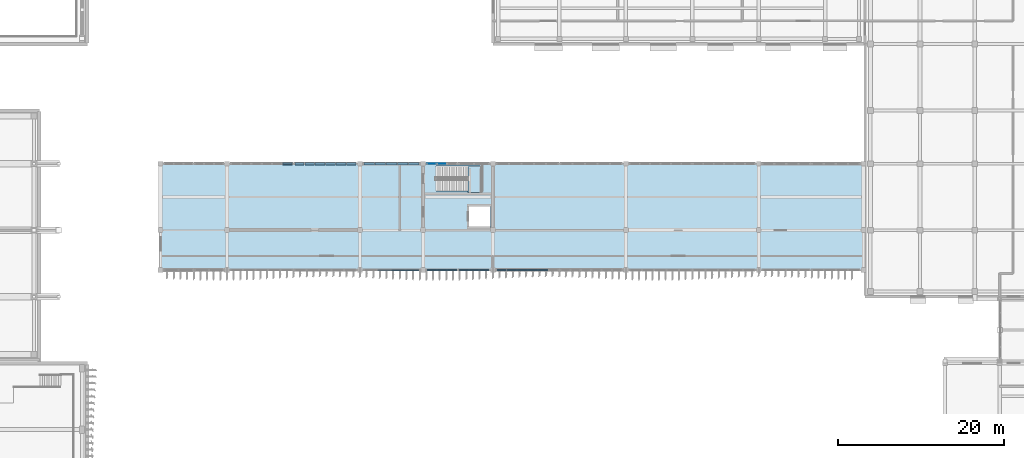
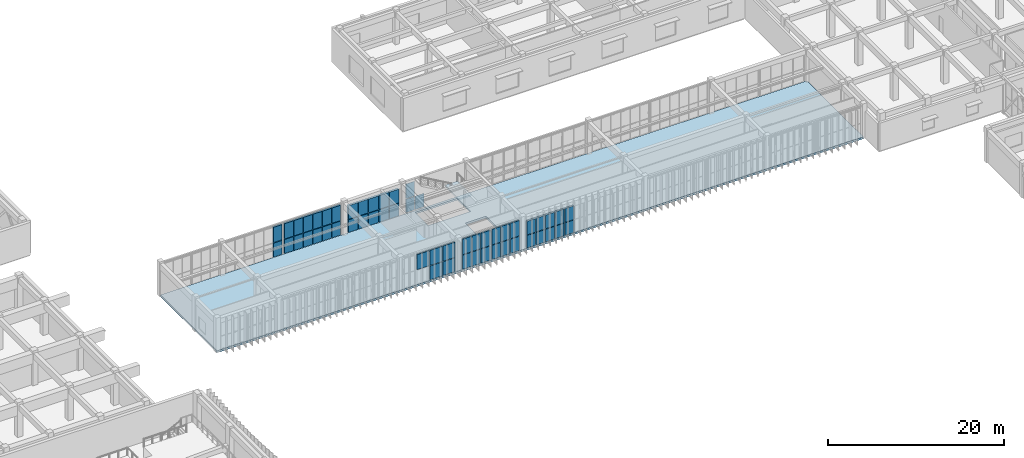
# One storey, part 31 of 64: 54 plates, 2 slabs, 9 elements without a shape of their own.
"""IFC4 building model written with IfcOpenShell, lengths in metres."""

from ifc_helpers import new_model, si_unit, direction, frame, origin, origin_2d, place, context, subcontext, project, spatial, polyline, rectangle, outline, extrude, material, layer, layer_set, type_object, element, aggregate, save


model = new_model("IFC4")

# Units and contexts
model_context = context("Model", 3, precision=1e-05, world=origin(), true_north=direction((0.0, 1.0)))
body_context = subcontext(model_context, "Body", "Model", "MODEL_VIEW")
ifc_project = project(units=[si_unit("LENGTHUNIT", "METRE"), si_unit("AREAUNIT", "SQUARE_METRE"), si_unit("VOLUMEUNIT", "CUBIC_METRE"), si_unit("PLANEANGLEUNIT", "RADIAN"), si_unit("MASSUNIT", "GRAM", prefix="KILO")], contexts=[model_context])

# Site, building, storey
site_placement = place(None, origin())
site = spatial("IfcSite", under=ifc_project, at=site_placement, CompositionType="ELEMENT")
building_placement = place(site_placement, origin())
building = spatial("IfcBuilding", under=site, at=building_placement, Name="Cinchona Park Media Centre", CompositionType="ELEMENT")
storey_placement = place(building_placement, frame((0.0, 0.0, 5.39990234375)))
storey = spatial("IfcBuildingStorey", under=building, at=storey_placement, Name="L01", CompositionType="ELEMENT", Elevation=5.39990234375)

# Curtain wall, plates
ifc_material_1 = material(Name="Aluminium Curtain Wall Framing", Category="aluminium")
ifc_layer_1 = layer(ifc_material_1, 0.2548828125)
ifc_layer_set_1 = layer_set([ifc_layer_1], Name="Aluminium Curtain Wall Framing")
curtain_wall_type_1 = type_object("IfcCurtainWallType", Name="CW-CW06", PredefinedType="USERDEFINED", material=ifc_layer_set_1)
curtain_wall_1_placement = place(storey_placement, origin())
curtain_wall_1 = element("IfcCurtainWall", 1, at=curtain_wall_1_placement, inside=storey, type_object=curtain_wall_type_1, Name="Curtain Wall CW06 L01", ObjectType="UNITISED CURTAIN WALL", PredefinedType="USERDEFINED")
ifc_material_2 = material(Name="Laminated Solar-Control Double Glazing", Category="glass")
ifc_layer_2 = layer(ifc_material_2, 0.030029296875)
ifc_layer_set_2 = layer_set([ifc_layer_2], Name="Laminated Solar-Control Double Glazing")
plate_type_1 = type_object("IfcPlateType", Name="CWPANEL-PNL02", PredefinedType="CURTAIN_PANEL", material=ifc_layer_set_2)
plate_1_placement = place(storey_placement, frame((87.455322265625, 87.60009765625, 0.125), z_axis=(0.0, 0.0, 1.0), x_axis=(1.0, 0.0, 0.0)))
plate_1 = element("IfcPlate", 2, at=plate_1_placement, type_object=plate_type_1, Name="CW06 panel 1.1", PredefinedType="CURTAIN_PANEL", context=body_context, shape_type="SweptSolid", body=[
    extrude(rectangle(XDim=1.120849609375, YDim=0.030029296875, at=origin_2d()), origin(), (0.0, 0.0, 1.0), 1.868408203125),
])
plate_2_placement = place(storey_placement, frame((87.455322265625, 87.60009765625, 2.06884765625), z_axis=(0.0, 0.0, 1.0), x_axis=(1.0, 0.0, 0.0)))
plate_2 = element("IfcPlate", 3, at=plate_2_placement, type_object=plate_type_1, Name="CW06 panel 1.2", PredefinedType="CURTAIN_PANEL", context=body_context, shape_type="SweptSolid", body=[
    extrude(rectangle(XDim=1.120849609375, YDim=0.030029296875, at=origin_2d()), origin(), (0.0, 0.0, 1.0), 2.033447265625),
])
plate_3_placement = place(storey_placement, frame((88.669921875, 87.60009765625, 0.125), z_axis=(0.0, 0.0, 1.0), x_axis=(1.0, 0.0, 0.0)))
plate_3 = element("IfcPlate", 4, at=plate_3_placement, type_object=plate_type_1, Name="CW06 panel 2.1", PredefinedType="CURTAIN_PANEL", context=body_context, shape_type="SweptSolid", body=[
    extrude(rectangle(XDim=1.158447265625, YDim=0.030029296875, at=origin_2d()), origin(), (0.0, 0.0, 1.0), 1.868408203125),
])
aggregate(curtain_wall_1, [plate_1, plate_2, plate_3])

ifc_material_3 = material(Name="Aluminium Curtain Wall Framing", Category="aluminium")
ifc_layer_3 = layer(ifc_material_3, 0.300048828125)
ifc_layer_set_3 = layer_set([ifc_layer_3], Name="Aluminium Curtain Wall Framing")
curtain_wall_type_2 = type_object("IfcCurtainWallType", Name="CW-CW09", PredefinedType="USERDEFINED", material=ifc_layer_set_3)
curtain_wall_2_placement = place(storey_placement, origin())
curtain_wall_2 = element("IfcCurtainWall", 5, at=curtain_wall_2_placement, inside=storey, type_object=curtain_wall_type_2, Name="Curtain Wall CW09 L01", ObjectType="UNITISED CURTAIN WALL", PredefinedType="USERDEFINED")
ifc_material_4 = material(Name="Insulated Acoustic Aluminium-Glass Spandrel Cassette", Category="aluminium")
ifc_layer_4 = layer(ifc_material_4, 0.139892578125)
ifc_layer_set_4 = layer_set([ifc_layer_4], Name="Insulated Acoustic Aluminium-Glass Spandrel Cassette")
plate_type_2 = type_object("IfcPlateType", Name="CWPANEL-PNL13", PredefinedType="CURTAIN_PANEL", material=ifc_layer_set_4)
plate_4_placement = place(storey_placement, frame((85.1162109375, 74.800048828125, 0.125244140625), z_axis=(0.0, 0.0, 1.0), x_axis=(-1.0, 0.0, 0.0)))
plate_4 = element("IfcPlate", 6, at=plate_4_placement, type_object=plate_type_2, Name="CW09 panel 1.1", PredefinedType="CURTAIN_PANEL", context=body_context, shape_type="SweptSolid", body=[
    extrude(rectangle(XDim=1.577392578125, YDim=0.139892578125, at=origin_2d()), origin(), (0.0, 0.0, 1.0), 1.92138671875),
])
plate_5_placement = place(storey_placement, frame((85.1162109375, 74.800048828125, 2.12158203125), z_axis=(0.0, 0.0, 1.0), x_axis=(-1.0, 0.0, 0.0)))
plate_5 = element("IfcPlate", 7, at=plate_5_placement, type_object=plate_type_2, Name="CW09 panel 1.2", PredefinedType="CURTAIN_PANEL", context=body_context, shape_type="SweptSolid", body=[
    extrude(rectangle(XDim=1.577392578125, YDim=0.139892578125, at=origin_2d()), origin(), (0.0, 0.0, 1.0), 2.091552734375),
])
plate_6_placement = place(storey_placement, frame((83.445068359375, 74.800048828125, 0.125244140625), z_axis=(0.0, 0.0, 1.0), x_axis=(-1.0, 0.0, 0.0)))
plate_6 = element("IfcPlate", 8, at=plate_6_placement, type_object=plate_type_2, Name="CW09 panel 2.1", PredefinedType="CURTAIN_PANEL", context=body_context, shape_type="SweptSolid", body=[
    extrude(rectangle(XDim=1.614990234375, YDim=0.139892578125, at=origin_2d()), origin(), (0.0, 0.0, 1.0), 1.92138671875),
])
plate_7_placement = place(storey_placement, frame((83.445068359375, 74.800048828125, 2.12158203125), z_axis=(0.0, 0.0, 1.0), x_axis=(-1.0, 0.0, 0.0)))
plate_7 = element("IfcPlate", 9, at=plate_7_placement, type_object=plate_type_2, Name="CW09 panel 2.2", PredefinedType="CURTAIN_PANEL", context=body_context, shape_type="SweptSolid", body=[
    extrude(rectangle(XDim=1.614990234375, YDim=0.139892578125, at=origin_2d()), origin(), (0.0, 0.0, 1.0), 2.091552734375),
])
plate_8_placement = place(storey_placement, frame((81.7548828125, 74.800048828125, 2.12158203125), z_axis=(0.0, 0.0, 1.0), x_axis=(-1.0, 0.0, 0.0)))
plate_8 = element("IfcPlate", 10, at=plate_8_placement, type_object=plate_type_2, Name="CW09 panel 3.2", PredefinedType="CURTAIN_PANEL", context=body_context, shape_type="SweptSolid", body=[
    extrude(rectangle(XDim=1.614990234375, YDim=0.139892578125, at=origin_2d()), origin(), (0.0, 0.0, 1.0), 2.091552734375),
])
aggregate(curtain_wall_2, [plate_4, plate_5, plate_6, plate_7, plate_8])

ifc_material_5 = material(Name="Aluminium Curtain Wall Framing", Category="aluminium")
ifc_layer_5 = layer(ifc_material_5, 0.179931640625)
ifc_layer_set_5 = layer_set([ifc_layer_5], Name="Aluminium Curtain Wall Framing")
curtain_wall_type_3 = type_object("IfcCurtainWallType", Name="CW-CW01", PredefinedType="USERDEFINED", material=ifc_layer_set_5)
curtain_wall_3_placement = place(storey_placement, origin())
curtain_wall_3 = element("IfcCurtainWall", 11, at=curtain_wall_3_placement, inside=storey, type_object=curtain_wall_type_3, Name="Curtain Wall CW01 L01", ObjectType="UNITISED CURTAIN WALL", PredefinedType="USERDEFINED")
ifc_material_6 = material(Name="Insulated Acoustic Aluminium-Glass Spandrel Cassette", Category="aluminium")
ifc_layer_6 = layer(ifc_material_6, 0.159912109375)
ifc_layer_set_6 = layer_set([ifc_layer_6], Name="Insulated Acoustic Aluminium-Glass Spandrel Cassette")
plate_type_3 = type_object("IfcPlateType", Name="CWPANEL-PNL15", PredefinedType="CURTAIN_PANEL", material=ifc_layer_set_6)
plate_9_placement = place(storey_placement, frame((93.7470703125, 74.800048828125, 0.115234375), z_axis=(0.0, 0.0, 1.0), x_axis=(-1.0, 0.0, 0.0)))
plate_9 = element("IfcPlate", 12, at=plate_9_placement, type_object=plate_type_3, Name="CW01 panel 1.1", PredefinedType="CURTAIN_PANEL", context=body_context, shape_type="SweptSolid", body=[
    extrude(rectangle(XDim=1.1357421875, YDim=0.159912109375, at=origin_2d()), origin(), (0.0, 0.0, 1.0), 1.96044921875),
])
plate_10_placement = place(storey_placement, frame((93.7470703125, 74.800048828125, 2.140625), z_axis=(0.0, 0.0, 1.0), x_axis=(-1.0, 0.0, 0.0)))
plate_10 = element("IfcPlate", 13, at=plate_10_placement, type_object=plate_type_3, Name="CW01 panel 1.2", PredefinedType="CURTAIN_PANEL", context=body_context, shape_type="SweptSolid", body=[
    extrude(rectangle(XDim=1.1357421875, YDim=0.159912109375, at=origin_2d()), origin(), (0.0, 0.0, 1.0), 2.131591796875),
])
plate_11_placement = place(storey_placement, frame((92.530029296875, 74.800048828125, 0.115234375), z_axis=(0.0, 0.0, 1.0), x_axis=(-1.0, 0.0, 0.0)))
plate_11 = element("IfcPlate", 14, at=plate_11_placement, type_object=plate_type_3, Name="CW01 panel 2.1", PredefinedType="CURTAIN_PANEL", context=body_context, shape_type="SweptSolid", body=[
    extrude(rectangle(XDim=1.168212890625, YDim=0.159912109375, at=origin_2d()), origin(), (0.0, 0.0, 1.0), 1.96044921875),
])
plate_12_placement = place(storey_placement, frame((92.530029296875, 74.800048828125, 2.140625), z_axis=(0.0, 0.0, 1.0), x_axis=(-1.0, 0.0, 0.0)))
plate_12 = element("IfcPlate", 15, at=plate_12_placement, type_object=plate_type_3, Name="CW01 panel 2.2", PredefinedType="CURTAIN_PANEL", context=body_context, shape_type="SweptSolid", body=[
    extrude(rectangle(XDim=1.168212890625, YDim=0.159912109375, at=origin_2d()), origin(), (0.0, 0.0, 1.0), 2.131591796875),
])
plate_13_placement = place(storey_placement, frame((91.31298828125, 74.800048828125, 0.115234375), z_axis=(0.0, 0.0, 1.0), x_axis=(-1.0, 0.0, 0.0)))
plate_13 = element("IfcPlate", 16, at=plate_13_placement, type_object=plate_type_3, Name="CW01 panel 3.1", PredefinedType="CURTAIN_PANEL", context=body_context, shape_type="SweptSolid", body=[
    extrude(rectangle(XDim=1.1357421875, YDim=0.159912109375, at=origin_2d()), origin(), (0.0, 0.0, 1.0), 1.96044921875),
])
plate_14_placement = place(storey_placement, frame((91.31298828125, 74.800048828125, 2.140625), z_axis=(0.0, 0.0, 1.0), x_axis=(-1.0, 0.0, 0.0)))
plate_14 = element("IfcPlate", 17, at=plate_14_placement, type_object=plate_type_3, Name="CW01 panel 3.2", PredefinedType="CURTAIN_PANEL", context=body_context, shape_type="SweptSolid", body=[
    extrude(rectangle(XDim=1.1357421875, YDim=0.159912109375, at=origin_2d()), origin(), (0.0, 0.0, 1.0), 2.131591796875),
])
aggregate(curtain_wall_3, [plate_9, plate_10, plate_11, plate_12, plate_13, plate_14])

ifc_material_7 = material(Name="Aluminium Curtain Wall Framing", Category="aluminium")
ifc_layer_7 = layer(ifc_material_7, 0.195068359375)
ifc_layer_set_7 = layer_set([ifc_layer_7], Name="Aluminium Curtain Wall Framing")
curtain_wall_type_4 = type_object("IfcCurtainWallType", Name="CW-CW02", PredefinedType="USERDEFINED", material=ifc_layer_set_7)
curtain_wall_4_placement = place(storey_placement, origin())
curtain_wall_4 = element("IfcCurtainWall", 18, at=curtain_wall_4_placement, inside=storey, type_object=curtain_wall_type_4, Name="Curtain Wall CW02 L01", ObjectType="UNITISED CURTAIN WALL", PredefinedType="USERDEFINED")
ifc_material_8 = material(Name="Insulated Acoustic Aluminium-Glass Spandrel Cassette", Category="aluminium")
ifc_layer_8 = layer(ifc_material_8, 0.179931640625)
ifc_layer_set_8 = layer_set([ifc_layer_8], Name="Insulated Acoustic Aluminium-Glass Spandrel Cassette")
plate_type_4 = type_object("IfcPlateType", Name="CWPANEL-PNL17", PredefinedType="CURTAIN_PANEL", material=ifc_layer_set_8)
plate_15_placement = place(storey_placement, frame((89.886962890625, 74.800048828125, 0.115234375), z_axis=(0.0, 0.0, 1.0), x_axis=(-1.0, 0.0, 0.0)))
plate_15 = element("IfcPlate", 19, at=plate_15_placement, type_object=plate_type_4, Name="CW02 panel 1.1", PredefinedType="CURTAIN_PANEL", context=body_context, shape_type="SweptSolid", body=[
    extrude(rectangle(XDim=1.1357421875, YDim=0.179931640625, at=origin_2d()), origin(), (0.0, 0.0, 1.0), 1.96044921875),
])
plate_16_placement = place(storey_placement, frame((89.886962890625, 74.800048828125, 2.140625), z_axis=(0.0, 0.0, 1.0), x_axis=(-1.0, 0.0, 0.0)))
plate_16 = element("IfcPlate", 20, at=plate_16_placement, type_object=plate_type_4, Name="CW02 panel 1.2", PredefinedType="CURTAIN_PANEL", context=body_context, shape_type="SweptSolid", body=[
    extrude(rectangle(XDim=1.1357421875, YDim=0.179931640625, at=origin_2d()), origin(), (0.0, 0.0, 1.0), 2.131591796875),
])
plate_17_placement = place(storey_placement, frame((88.669921875, 74.800048828125, 0.115234375), z_axis=(0.0, 0.0, 1.0), x_axis=(-1.0, 0.0, 0.0)))
plate_17 = element("IfcPlate", 21, at=plate_17_placement, type_object=plate_type_4, Name="CW02 panel 2.1", PredefinedType="CURTAIN_PANEL", context=body_context, shape_type="SweptSolid", body=[
    extrude(rectangle(XDim=1.168212890625, YDim=0.179931640625, at=origin_2d()), origin(), (0.0, 0.0, 1.0), 1.96044921875),
])
plate_18_placement = place(storey_placement, frame((88.669921875, 74.800048828125, 2.140625), z_axis=(0.0, 0.0, 1.0), x_axis=(-1.0, 0.0, 0.0)))
plate_18 = element("IfcPlate", 22, at=plate_18_placement, type_object=plate_type_4, Name="CW02 panel 2.2", PredefinedType="CURTAIN_PANEL", context=body_context, shape_type="SweptSolid", body=[
    extrude(rectangle(XDim=1.168212890625, YDim=0.179931640625, at=origin_2d()), origin(), (0.0, 0.0, 1.0), 2.131591796875),
])
plate_19_placement = place(storey_placement, frame((87.452880859375, 74.800048828125, 0.115234375), z_axis=(0.0, 0.0, 1.0), x_axis=(-1.0, 0.0, 0.0)))
plate_19 = element("IfcPlate", 23, at=plate_19_placement, type_object=plate_type_4, Name="CW02 panel 3.1", PredefinedType="CURTAIN_PANEL", context=body_context, shape_type="SweptSolid", body=[
    extrude(rectangle(XDim=1.1357421875, YDim=0.179931640625, at=origin_2d()), origin(), (0.0, 0.0, 1.0), 1.96044921875),
])
plate_20_placement = place(storey_placement, frame((87.452880859375, 74.800048828125, 2.140625), z_axis=(0.0, 0.0, 1.0), x_axis=(-1.0, 0.0, 0.0)))
plate_20 = element("IfcPlate", 24, at=plate_20_placement, type_object=plate_type_4, Name="CW02 panel 3.2", PredefinedType="CURTAIN_PANEL", context=body_context, shape_type="SweptSolid", body=[
    extrude(rectangle(XDim=1.1357421875, YDim=0.179931640625, at=origin_2d()), origin(), (0.0, 0.0, 1.0), 2.131591796875),
])
aggregate(curtain_wall_4, [plate_15, plate_16, plate_17, plate_18, plate_19, plate_20])

ifc_material_9 = material(Name="Aluminium Curtain Wall Framing", Category="aluminium")
ifc_layer_9 = layer(ifc_material_9, 0.22509765625)
ifc_layer_set_9 = layer_set([ifc_layer_9], Name="Aluminium Curtain Wall Framing")
curtain_wall_type_5 = type_object("IfcCurtainWallType", Name="CW-CW04", PredefinedType="USERDEFINED", material=ifc_layer_set_9)
curtain_wall_5_placement = place(storey_placement, origin())
curtain_wall_5 = element("IfcCurtainWall", 25, at=curtain_wall_5_placement, inside=storey, type_object=curtain_wall_type_5, Name="Curtain Wall CW04 L01", ObjectType="UNITISED CURTAIN WALL", PredefinedType="USERDEFINED")
ifc_material_10 = material(Name="Insulated Acoustic Aluminium-Glass Spandrel Cassette", Category="aluminium")
ifc_layer_10 = layer(ifc_material_10, 0.2099609375)
ifc_layer_set_10 = layer_set([ifc_layer_10], Name="Insulated Acoustic Aluminium-Glass Spandrel Cassette")
plate_type_5 = type_object("IfcPlateType", Name="CWPANEL-PNL20", PredefinedType="CURTAIN_PANEL", material=ifc_layer_set_10)
plate_21_placement = place(storey_placement, frame((100.844970703125, 74.800048828125, 0.125), z_axis=(0.0, 0.0, 1.0), x_axis=(-1.0, 0.0, 0.0)))
plate_21 = element("IfcPlate", 26, at=plate_21_placement, type_object=plate_type_5, Name="CW04 panel 2.1", PredefinedType="CURTAIN_PANEL", context=body_context, shape_type="SweptSolid", body=[
    extrude(rectangle(XDim=1.175048828125, YDim=0.2099609375, at=origin_2d()), origin(), (0.0, 0.0, 1.0), 1.73046875),
])
plate_22_placement = place(storey_placement, frame((100.844970703125, 74.800048828125, 1.9306640625), z_axis=(0.0, 0.0, 1.0), x_axis=(-1.0, 0.0, 0.0)))
plate_22 = element("IfcPlate", 27, at=plate_22_placement, type_object=plate_type_5, Name="CW04 panel 2.2", PredefinedType="CURTAIN_PANEL", context=body_context, shape_type="SweptSolid", body=[
    extrude(rectangle(XDim=1.175048828125, YDim=0.2099609375, at=origin_2d()), origin(), (0.0, 0.0, 1.0), 1.884521484375),
])
plate_23_placement = place(storey_placement, frame((99.594970703125, 74.800048828125, 0.125), z_axis=(0.0, 0.0, 1.0), x_axis=(-1.0, 0.0, 0.0)))
plate_23 = element("IfcPlate", 28, at=plate_23_placement, type_object=plate_type_5, Name="CW04 panel 3.1", PredefinedType="CURTAIN_PANEL", context=body_context, shape_type="SweptSolid", body=[
    extrude(rectangle(XDim=1.175048828125, YDim=0.2099609375, at=origin_2d()), origin(), (0.0, 0.0, 1.0), 1.73046875),
])
plate_24_placement = place(storey_placement, frame((99.594970703125, 74.800048828125, 1.9306640625), z_axis=(0.0, 0.0, 1.0), x_axis=(-1.0, 0.0, 0.0)))
plate_24 = element("IfcPlate", 29, at=plate_24_placement, type_object=plate_type_5, Name="CW04 panel 3.2", PredefinedType="CURTAIN_PANEL", context=body_context, shape_type="SweptSolid", body=[
    extrude(rectangle(XDim=1.175048828125, YDim=0.2099609375, at=origin_2d()), origin(), (0.0, 0.0, 1.0), 1.884521484375),
])
plate_25_placement = place(storey_placement, frame((98.344970703125, 74.800048828125, 0.125), z_axis=(0.0, 0.0, 1.0), x_axis=(-1.0, 0.0, 0.0)))
plate_25 = element("IfcPlate", 30, at=plate_25_placement, type_object=plate_type_5, Name="CW04 panel 4.1", PredefinedType="CURTAIN_PANEL", context=body_context, shape_type="SweptSolid", body=[
    extrude(rectangle(XDim=1.175048828125, YDim=0.2099609375, at=origin_2d()), origin(), (0.0, 0.0, 1.0), 1.73046875),
])
plate_26_placement = place(storey_placement, frame((98.344970703125, 74.800048828125, 1.9306640625), z_axis=(0.0, 0.0, 1.0), x_axis=(-1.0, 0.0, 0.0)))
plate_26 = element("IfcPlate", 31, at=plate_26_placement, type_object=plate_type_5, Name="CW04 panel 4.2", PredefinedType="CURTAIN_PANEL", context=body_context, shape_type="SweptSolid", body=[
    extrude(rectangle(XDim=1.175048828125, YDim=0.2099609375, at=origin_2d()), origin(), (0.0, 0.0, 1.0), 1.884521484375),
])
plate_27_placement = place(storey_placement, frame((97.094970703125, 74.800048828125, 0.125), z_axis=(0.0, 0.0, 1.0), x_axis=(-1.0, 0.0, 0.0)))
plate_27 = element("IfcPlate", 32, at=plate_27_placement, type_object=plate_type_5, Name="CW04 panel 5.1", PredefinedType="CURTAIN_PANEL", context=body_context, shape_type="SweptSolid", body=[
    extrude(rectangle(XDim=1.175048828125, YDim=0.2099609375, at=origin_2d()), origin(), (0.0, 0.0, 1.0), 1.73046875),
])
plate_28_placement = place(storey_placement, frame((97.094970703125, 74.800048828125, 1.9306640625), z_axis=(0.0, 0.0, 1.0), x_axis=(-1.0, 0.0, 0.0)))
plate_28 = element("IfcPlate", 33, at=plate_28_placement, type_object=plate_type_5, Name="CW04 panel 5.2", PredefinedType="CURTAIN_PANEL", context=body_context, shape_type="SweptSolid", body=[
    extrude(rectangle(XDim=1.175048828125, YDim=0.2099609375, at=origin_2d()), origin(), (0.0, 0.0, 1.0), 1.884521484375),
])
plate_29_placement = place(storey_placement, frame((95.86376953125, 74.800048828125, 0.125), z_axis=(0.0, 0.0, 1.0), x_axis=(-1.0, 0.0, 0.0)))
plate_29 = element("IfcPlate", 34, at=plate_29_placement, type_object=plate_type_5, Name="CW04 panel 6.1", PredefinedType="CURTAIN_PANEL", context=body_context, shape_type="SweptSolid", body=[
    extrude(rectangle(XDim=1.137451171875, YDim=0.2099609375, at=origin_2d()), origin(), (0.0, 0.0, 1.0), 1.73046875),
])
plate_30_placement = place(storey_placement, frame((95.86376953125, 74.800048828125, 1.9306640625), z_axis=(0.0, 0.0, 1.0), x_axis=(-1.0, 0.0, 0.0)))
plate_30 = element("IfcPlate", 35, at=plate_30_placement, type_object=plate_type_5, Name="CW04 panel 6.2", PredefinedType="CURTAIN_PANEL", context=body_context, shape_type="SweptSolid", body=[
    extrude(rectangle(XDim=1.137451171875, YDim=0.2099609375, at=origin_2d()), origin(), (0.0, 0.0, 1.0), 1.884521484375),
])
aggregate(curtain_wall_5, [plate_21, plate_22, plate_23, plate_24, plate_25, plate_26, plate_27, plate_28, plate_29, plate_30])

ifc_material_11 = material(Name="Aluminium Curtain Wall Framing", Category="aluminium")
ifc_layer_11 = layer(ifc_material_11, 0.2099609375)
ifc_layer_set_11 = layer_set([ifc_layer_11], Name="Aluminium Curtain Wall Framing")
curtain_wall_type_6 = type_object("IfcCurtainWallType", Name="CW-CW03", PredefinedType="USERDEFINED", material=ifc_layer_set_11)
curtain_wall_6_placement = place(storey_placement, origin())
curtain_wall_6 = element("IfcCurtainWall", 36, at=curtain_wall_6_placement, inside=storey, type_object=curtain_wall_type_6, Name="Curtain Wall CW03 L01", ObjectType="UNITISED CURTAIN WALL", PredefinedType="USERDEFINED")
ifc_material_12 = material(Name="Insulated Acoustic Aluminium-Glass Spandrel Cassette", Category="aluminium")
ifc_layer_12 = layer(ifc_material_12, 0.239990234375)
ifc_layer_set_12 = layer_set([ifc_layer_12], Name="Insulated Acoustic Aluminium-Glass Spandrel Cassette")
plate_type_6 = type_object("IfcPlateType", Name="CWPANEL-PNL23", PredefinedType="CURTAIN_PANEL", material=ifc_layer_set_12)
plate_31_placement = place(storey_placement, frame((70.076171875, 87.60009765625, 0.125), z_axis=(0.0, 0.0, 1.0), x_axis=(1.0, 0.0, 0.0)))
plate_31 = element("IfcPlate", 37, at=plate_31_placement, type_object=plate_type_6, Name="CW03 panel 6.1", PredefinedType="CURTAIN_PANEL", context=body_context, shape_type="SweptSolid", body=[
    extrude(rectangle(XDim=1.137451171875, YDim=0.239990234375, at=origin_2d()), origin(), (0.0, 0.0, 1.0), 1.945556640625),
])
plate_32_placement = place(storey_placement, frame((70.076171875, 87.60009765625, 2.1455078125), z_axis=(0.0, 0.0, 1.0), x_axis=(1.0, 0.0, 0.0)))
plate_32 = element("IfcPlate", 38, at=plate_32_placement, type_object=plate_type_6, Name="CW03 panel 6.2", PredefinedType="CURTAIN_PANEL", context=body_context, shape_type="SweptSolid", body=[
    extrude(rectangle(XDim=1.137451171875, YDim=0.239990234375, at=origin_2d()), origin(), (0.0, 0.0, 1.0), 2.116455078125),
])
aggregate(curtain_wall_6, [plate_31, plate_32])

curtain_wall_7_placement = place(storey_placement, origin())
curtain_wall_7 = element("IfcCurtainWall", 39, at=curtain_wall_7_placement, inside=storey, type_object=curtain_wall_type_5, Name="Curtain Wall CW04 L01", ObjectType="UNITISED CURTAIN WALL", PredefinedType="USERDEFINED")
ifc_material_13 = material(Name="Insulated Acoustic Aluminium-Glass Spandrel Cassette", Category="aluminium")
ifc_layer_13 = layer(ifc_material_13, 0.260009765625)
ifc_layer_set_13 = layer_set([ifc_layer_13], Name="Insulated Acoustic Aluminium-Glass Spandrel Cassette")
plate_type_7 = type_object("IfcPlateType", Name="CWPANEL-PNL25", PredefinedType="CURTAIN_PANEL", material=ifc_layer_set_13)
plate_33_placement = place(storey_placement, frame((71.523681640625, 87.60009765625, 0.125), z_axis=(0.0, 0.0, 1.0), x_axis=(1.0, 0.0, 0.0)))
plate_33 = element("IfcPlate", 40, at=plate_33_placement, type_object=plate_type_7, Name="CW04 panel 1.1", PredefinedType="CURTAIN_PANEL", context=body_context, shape_type="SweptSolid", body=[
    extrude(rectangle(XDim=1.137451171875, YDim=0.260009765625, at=origin_2d()), origin(), (0.0, 0.0, 1.0), 1.945556640625),
])
plate_34_placement = place(storey_placement, frame((71.523681640625, 87.60009765625, 2.1455078125), z_axis=(0.0, 0.0, 1.0), x_axis=(1.0, 0.0, 0.0)))
plate_34 = element("IfcPlate", 41, at=plate_34_placement, type_object=plate_type_7, Name="CW04 panel 1.2", PredefinedType="CURTAIN_PANEL", context=body_context, shape_type="SweptSolid", body=[
    extrude(rectangle(XDim=1.137451171875, YDim=0.260009765625, at=origin_2d()), origin(), (0.0, 0.0, 1.0), 2.116455078125),
])
plate_35_placement = place(storey_placement, frame((72.7548828125, 87.60009765625, 0.125), z_axis=(0.0, 0.0, 1.0), x_axis=(1.0, 0.0, 0.0)))
plate_35 = element("IfcPlate", 42, at=plate_35_placement, type_object=plate_type_7, Name="CW04 panel 2.1", PredefinedType="CURTAIN_PANEL", context=body_context, shape_type="SweptSolid", body=[
    extrude(rectangle(XDim=1.175048828125, YDim=0.260009765625, at=origin_2d()), origin(), (0.0, 0.0, 1.0), 1.945556640625),
])
plate_36_placement = place(storey_placement, frame((72.7548828125, 87.60009765625, 2.1455078125), z_axis=(0.0, 0.0, 1.0), x_axis=(1.0, 0.0, 0.0)))
plate_36 = element("IfcPlate", 43, at=plate_36_placement, type_object=plate_type_7, Name="CW04 panel 2.2", PredefinedType="CURTAIN_PANEL", context=body_context, shape_type="SweptSolid", body=[
    extrude(rectangle(XDim=1.175048828125, YDim=0.260009765625, at=origin_2d()), origin(), (0.0, 0.0, 1.0), 2.116455078125),
])
plate_37_placement = place(storey_placement, frame((74.0048828125, 87.60009765625, 0.125), z_axis=(0.0, 0.0, 1.0), x_axis=(1.0, 0.0, 0.0)))
plate_37 = element("IfcPlate", 44, at=plate_37_placement, type_object=plate_type_7, Name="CW04 panel 3.1", PredefinedType="CURTAIN_PANEL", context=body_context, shape_type="SweptSolid", body=[
    extrude(rectangle(XDim=1.175048828125, YDim=0.260009765625, at=origin_2d()), origin(), (0.0, 0.0, 1.0), 1.945556640625),
])
plate_38_placement = place(storey_placement, frame((74.0048828125, 87.60009765625, 2.1455078125), z_axis=(0.0, 0.0, 1.0), x_axis=(1.0, 0.0, 0.0)))
plate_38 = element("IfcPlate", 45, at=plate_38_placement, type_object=plate_type_7, Name="CW04 panel 3.2", PredefinedType="CURTAIN_PANEL", context=body_context, shape_type="SweptSolid", body=[
    extrude(rectangle(XDim=1.175048828125, YDim=0.260009765625, at=origin_2d()), origin(), (0.0, 0.0, 1.0), 2.116455078125),
])
plate_39_placement = place(storey_placement, frame((75.2548828125, 87.60009765625, 0.125), z_axis=(0.0, 0.0, 1.0), x_axis=(1.0, 0.0, 0.0)))
plate_39 = element("IfcPlate", 46, at=plate_39_placement, type_object=plate_type_7, Name="CW04 panel 4.1", PredefinedType="CURTAIN_PANEL", context=body_context, shape_type="SweptSolid", body=[
    extrude(rectangle(XDim=1.175048828125, YDim=0.260009765625, at=origin_2d()), origin(), (0.0, 0.0, 1.0), 1.945556640625),
])
plate_40_placement = place(storey_placement, frame((75.2548828125, 87.60009765625, 2.1455078125), z_axis=(0.0, 0.0, 1.0), x_axis=(1.0, 0.0, 0.0)))
plate_40 = element("IfcPlate", 47, at=plate_40_placement, type_object=plate_type_7, Name="CW04 panel 4.2", PredefinedType="CURTAIN_PANEL", context=body_context, shape_type="SweptSolid", body=[
    extrude(rectangle(XDim=1.175048828125, YDim=0.260009765625, at=origin_2d()), origin(), (0.0, 0.0, 1.0), 2.116455078125),
])
plate_41_placement = place(storey_placement, frame((76.5048828125, 87.60009765625, 0.125), z_axis=(0.0, 0.0, 1.0), x_axis=(1.0, 0.0, 0.0)))
plate_41 = element("IfcPlate", 48, at=plate_41_placement, type_object=plate_type_7, Name="CW04 panel 5.1", PredefinedType="CURTAIN_PANEL", context=body_context, shape_type="SweptSolid", body=[
    extrude(rectangle(XDim=1.175048828125, YDim=0.260009765625, at=origin_2d()), origin(), (0.0, 0.0, 1.0), 1.945556640625),
])
plate_42_placement = place(storey_placement, frame((76.5048828125, 87.60009765625, 2.1455078125), z_axis=(0.0, 0.0, 1.0), x_axis=(1.0, 0.0, 0.0)))
plate_42 = element("IfcPlate", 49, at=plate_42_placement, type_object=plate_type_7, Name="CW04 panel 5.2", PredefinedType="CURTAIN_PANEL", context=body_context, shape_type="SweptSolid", body=[
    extrude(rectangle(XDim=1.175048828125, YDim=0.260009765625, at=origin_2d()), origin(), (0.0, 0.0, 1.0), 2.116455078125),
])
plate_43_placement = place(storey_placement, frame((77.736328125, 87.60009765625, 0.125), z_axis=(0.0, 0.0, 1.0), x_axis=(1.0, 0.0, 0.0)))
plate_43 = element("IfcPlate", 50, at=plate_43_placement, type_object=plate_type_7, Name="CW04 panel 6.1", PredefinedType="CURTAIN_PANEL", context=body_context, shape_type="SweptSolid", body=[
    extrude(rectangle(XDim=1.137451171875, YDim=0.260009765625, at=origin_2d()), origin(), (0.0, 0.0, 1.0), 1.945556640625),
])
plate_44_placement = place(storey_placement, frame((77.736328125, 87.60009765625, 2.1455078125), z_axis=(0.0, 0.0, 1.0), x_axis=(1.0, 0.0, 0.0)))
plate_44 = element("IfcPlate", 51, at=plate_44_placement, type_object=plate_type_7, Name="CW04 panel 6.2", PredefinedType="CURTAIN_PANEL", context=body_context, shape_type="SweptSolid", body=[
    extrude(rectangle(XDim=1.137451171875, YDim=0.260009765625, at=origin_2d()), origin(), (0.0, 0.0, 1.0), 2.116455078125),
])
aggregate(curtain_wall_7, [plate_33, plate_34, plate_35, plate_36, plate_37, plate_38, plate_39, plate_40, plate_41, plate_42, plate_43, plate_44])

ifc_material_14 = material(Name="Aluminium Curtain Wall Framing", Category="aluminium")
ifc_layer_14 = layer(ifc_material_14, 0.239990234375)
ifc_layer_set_14 = layer_set([ifc_layer_14], Name="Aluminium Curtain Wall Framing")
curtain_wall_type_7 = type_object("IfcCurtainWallType", Name="CW-CW05", PredefinedType="USERDEFINED", material=ifc_layer_set_14)
curtain_wall_8_placement = place(storey_placement, origin())
curtain_wall_8 = element("IfcCurtainWall", 52, at=curtain_wall_8_placement, inside=storey, type_object=curtain_wall_type_7, Name="Curtain Wall CW05 L01", ObjectType="UNITISED CURTAIN WALL", PredefinedType="USERDEFINED")
ifc_material_15 = material(Name="Insulated Acoustic Aluminium-Glass Spandrel Cassette", Category="aluminium")
ifc_layer_15 = layer(ifc_material_15, 0.27001953125)
ifc_layer_set_15 = layer_set([ifc_layer_15], Name="Insulated Acoustic Aluminium-Glass Spandrel Cassette")
plate_type_8 = type_object("IfcPlateType", Name="CWPANEL-PNL26", PredefinedType="CURTAIN_PANEL", material=ifc_layer_set_15)
plate_45_placement = place(storey_placement, frame((79.91357421875, 87.60009765625, 0.1201171875), z_axis=(0.0, 0.0, 1.0), x_axis=(1.0, 0.0, 0.0)))
plate_45 = element("IfcPlate", 53, at=plate_45_placement, type_object=plate_type_8, Name="CW05 panel 1.1", PredefinedType="CURTAIN_PANEL", context=body_context, shape_type="SweptSolid", body=[
    extrude(rectangle(XDim=1.2470703125, YDim=0.27001953125, at=origin_2d()), origin(), (0.0, 0.0, 1.0), 1.738037109375),
])
plate_46_placement = place(storey_placement, frame((79.91357421875, 87.60009765625, 1.927978515625), z_axis=(0.0, 0.0, 1.0), x_axis=(1.0, 0.0, 0.0)))
plate_46 = element("IfcPlate", 54, at=plate_46_placement, type_object=plate_type_8, Name="CW05 panel 1.2", PredefinedType="CURTAIN_PANEL", context=body_context, shape_type="SweptSolid", body=[
    extrude(rectangle(XDim=1.2470703125, YDim=0.27001953125, at=origin_2d()), origin(), (0.0, 0.0, 1.0), 1.89208984375),
])
plate_47_placement = place(storey_placement, frame((81.248046875, 87.60009765625, 0.1201171875), z_axis=(0.0, 0.0, 1.0), x_axis=(1.0, 0.0, 0.0)))
plate_47 = element("IfcPlate", 55, at=plate_47_placement, type_object=plate_type_8, Name="CW05 panel 2.1", PredefinedType="CURTAIN_PANEL", context=body_context, shape_type="SweptSolid", body=[
    extrude(rectangle(XDim=1.281982421875, YDim=0.27001953125, at=origin_2d()), origin(), (0.0, 0.0, 1.0), 1.738037109375),
])
plate_48_placement = place(storey_placement, frame((81.248046875, 87.60009765625, 1.927978515625), z_axis=(0.0, 0.0, 1.0), x_axis=(1.0, 0.0, 0.0)))
plate_48 = element("IfcPlate", 56, at=plate_48_placement, type_object=plate_type_8, Name="CW05 panel 2.2", PredefinedType="CURTAIN_PANEL", context=body_context, shape_type="SweptSolid", body=[
    extrude(rectangle(XDim=1.281982421875, YDim=0.27001953125, at=origin_2d()), origin(), (0.0, 0.0, 1.0), 1.89208984375),
])
plate_49_placement = place(storey_placement, frame((82.60009765625, 87.60009765625, 0.1201171875), z_axis=(0.0, 0.0, 1.0), x_axis=(1.0, 0.0, 0.0)))
plate_49 = element("IfcPlate", 57, at=plate_49_placement, type_object=plate_type_8, Name="CW05 panel 3.1", PredefinedType="CURTAIN_PANEL", context=body_context, shape_type="SweptSolid", body=[
    extrude(rectangle(XDim=1.281982421875, YDim=0.27001953125, at=origin_2d()), origin(), (0.0, 0.0, 1.0), 1.738037109375),
])
plate_50_placement = place(storey_placement, frame((82.60009765625, 87.60009765625, 1.927978515625), z_axis=(0.0, 0.0, 1.0), x_axis=(1.0, 0.0, 0.0)))
plate_50 = element("IfcPlate", 58, at=plate_50_placement, type_object=plate_type_8, Name="CW05 panel 3.2", PredefinedType="CURTAIN_PANEL", context=body_context, shape_type="SweptSolid", body=[
    extrude(rectangle(XDim=1.281982421875, YDim=0.27001953125, at=origin_2d()), origin(), (0.0, 0.0, 1.0), 1.89208984375),
])
plate_51_placement = place(storey_placement, frame((83.951904296875, 87.60009765625, 0.1201171875), z_axis=(0.0, 0.0, 1.0), x_axis=(1.0, 0.0, 0.0)))
plate_51 = element("IfcPlate", 59, at=plate_51_placement, type_object=plate_type_8, Name="CW05 panel 4.1", PredefinedType="CURTAIN_PANEL", context=body_context, shape_type="SweptSolid", body=[
    extrude(rectangle(XDim=1.281982421875, YDim=0.27001953125, at=origin_2d()), origin(), (0.0, 0.0, 1.0), 1.738037109375),
])
plate_52_placement = place(storey_placement, frame((83.951904296875, 87.60009765625, 1.927978515625), z_axis=(0.0, 0.0, 1.0), x_axis=(1.0, 0.0, 0.0)))
plate_52 = element("IfcPlate", 60, at=plate_52_placement, type_object=plate_type_8, Name="CW05 panel 4.2", PredefinedType="CURTAIN_PANEL", context=body_context, shape_type="SweptSolid", body=[
    extrude(rectangle(XDim=1.281982421875, YDim=0.27001953125, at=origin_2d()), origin(), (0.0, 0.0, 1.0), 1.89208984375),
])
plate_53_placement = place(storey_placement, frame((85.28662109375, 87.60009765625, 0.1201171875), z_axis=(0.0, 0.0, 1.0), x_axis=(1.0, 0.0, 0.0)))
plate_53 = element("IfcPlate", 61, at=plate_53_placement, type_object=plate_type_8, Name="CW05 panel 5.1", PredefinedType="CURTAIN_PANEL", context=body_context, shape_type="SweptSolid", body=[
    extrude(rectangle(XDim=1.2470703125, YDim=0.27001953125, at=origin_2d()), origin(), (0.0, 0.0, 1.0), 1.738037109375),
])
plate_54_placement = place(storey_placement, frame((85.28662109375, 87.60009765625, 1.927978515625), z_axis=(0.0, 0.0, 1.0), x_axis=(1.0, 0.0, 0.0)))
plate_54 = element("IfcPlate", 62, at=plate_54_placement, type_object=plate_type_8, Name="CW05 panel 5.2", PredefinedType="CURTAIN_PANEL", context=body_context, shape_type="SweptSolid", body=[
    extrude(rectangle(XDim=1.2470703125, YDim=0.27001953125, at=origin_2d()), origin(), (0.0, 0.0, 1.0), 1.89208984375),
])
aggregate(curtain_wall_8, [plate_45, plate_46, plate_47, plate_48, plate_49, plate_50, plate_51, plate_52, plate_53, plate_54])

# Stair, slab
ifc_material_16 = material(Name="Concrete C35/45", Category="concrete")
stair_type = type_object("IfcStairType", Name="STAIR-ST5-HT48", PredefinedType="HALF_TURN_STAIR", material=ifc_material_16)
stair_placement = place(storey_placement, origin())
stair = element("IfcStair", 63, at=stair_placement, inside=storey, type_object=stair_type, Name="Exit Stair ST5 L01", PredefinedType="HALF_TURN_STAIR")
ifc_material_17 = material(Name="Concrete C35/45", Category="concrete")
ifc_layer_16 = layer(ifc_material_17, 0.205078125)
ifc_layer_set_16 = layer_set([ifc_layer_16], Name="Concrete C35/45")
slab_type_1 = type_object("IfcSlabType", Name="LANDING-LDG01", PredefinedType="LANDING", material=ifc_layer_set_16)
slab_1_placement = place(storey_placement, frame((0.0, 0.0, 2.195068359375)))
slab_1 = element("IfcSlab", 64, at=slab_1_placement, type_object=slab_type_1, Name="ST5 landing 1", PredefinedType="LANDING", context=body_context, shape_type="SweptSolid", body=[
    extrude(outline(polyline([(91.820068359375, 84.155029296875), (93.47998046875, 84.155029296875), (93.47998046875, 87.280029296875), (91.820068359375, 87.280029296875), (91.820068359375, 84.155029296875)])), origin(), (0.0, 0.0, 1.0), 0.205078125),
])
aggregate(stair, [slab_1])

# Slab
ifc_material_18 = material(Name="Concrete C35/45", Category="concrete")
ifc_layer_17 = layer(ifc_material_18, 0.260009765625)
ifc_layer_set_17 = layer_set([ifc_layer_17], Name="Concrete C35/45")
slab_type_2 = type_object("IfcSlabType", Name="SLAB-SL05-260", PredefinedType="FLOOR", material=ifc_layer_set_17)
slab_2_placement = place(storey_placement, frame((0.0, 0.0, -0.260009765625)))
element("IfcSlab", 65, at=slab_2_placement, inside=storey, type_object=slab_type_2, Name="Floor Slab V5 L01", PredefinedType="FLOOR", context=body_context, shape_type="SweptSolid", body=[
    extrude(outline(polyline([(54.800048828125, 74.800048828125), (139.39990234375, 74.800048828125), (139.39990234375, 87.60009765625), (54.800048828125, 87.60009765625), (54.800048828125, 74.800048828125)]), holes=[polyline([(87.93505859375, 84.300048828125), (93.5, 84.300048828125), (93.5, 87.300048828125), (87.93505859375, 87.300048828125), (87.93505859375, 84.300048828125)]), polyline([(91.800048828125, 79.89990234375), (94.5, 79.89990234375), (94.5, 82.60009765625), (91.800048828125, 82.60009765625), (91.800048828125, 79.89990234375)])]), origin(), (0.0, 0.0, 1.0), 0.260009765625),
])

save(model, "model.ifc")
